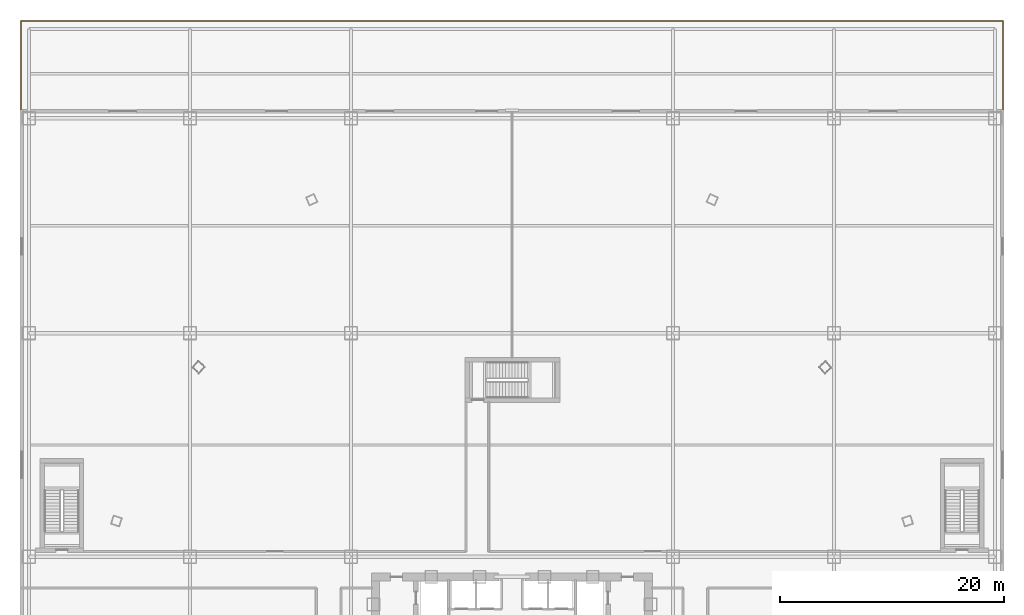
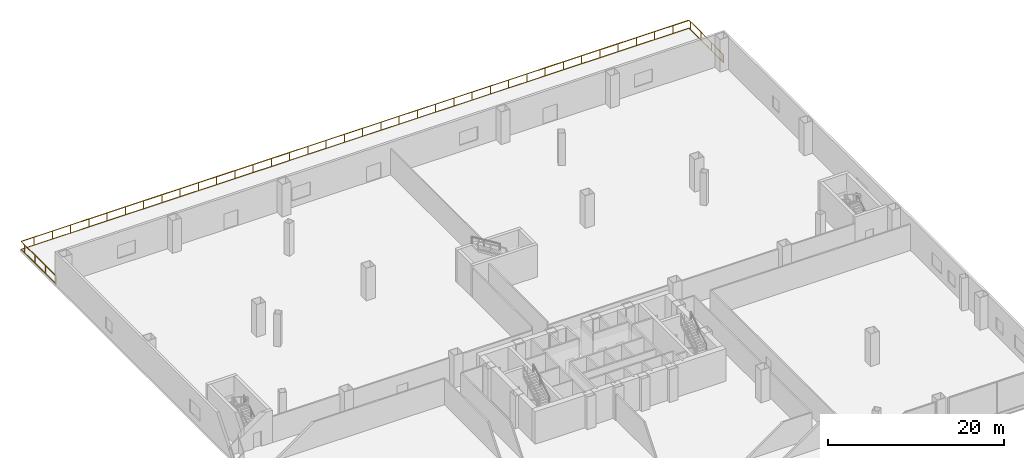
# One storey, part 27 of 27: 1 railing.
"""IFC4 building model written with IfcOpenShell, lengths in metres."""

import ifcopenshell
import ifcopenshell.guid

model = None  # the IFC model being written
_history = None  # IfcOwnerHistory: only IFC2X3 demands one
_inside = {}  # id of a spatial element -> (the spatial element, [elements in it])
_under = {}  # id of a project, library or spatial element -> (it, [spatial elements below it])
_declared = {}  # id of a project -> (the project, [libraries it declares])
_typed = {}  # id of a type object -> (the type object, [elements of that type])
_made_of = {}  # id of a material, layer set ... -> (it, [elements and type objects made of it])


def new_model(schema):
    """Start an empty IFC model of exactly this schema.

    Asked for "IFC4X3", IfcOpenShell would pick the latest addendum, in which some entities
    have other attributes; the version numbers below select the first issue.
    IFC2X3 requires an IfcOwnerHistory on every rooted entity: one is made here for all.
    """
    global model, _history
    if schema == "IFC4X3":
        model = ifcopenshell.file(schema_version=(4, 3, 0, 0))
    else:
        model = ifcopenshell.file(schema=schema)
    _inside.clear()
    _under.clear()
    _declared.clear()
    _typed.clear()
    _made_of.clear()
    _history = None
    if model.schema == "IFC2X3":
        org = make("IfcOrganization", Name="unknown")
        user = make(
            "IfcPersonAndOrganization",
            ThePerson=make("IfcPerson", FamilyName="unknown"),
            TheOrganization=org,
        )
        app = make(
            "IfcApplication",
            ApplicationDeveloper=org,
            Version="unknown",
            ApplicationFullName="unknown",
            ApplicationIdentifier="unknown",
        )
        _history = make(
            "IfcOwnerHistory",
            OwningUser=user,
            OwningApplication=app,
            ChangeAction="ADDED",
            CreationDate=0,
        )
    return model


def make(cls, **values):
    """One entity of the class cls with the attributes given. An attribute that is None is left unset."""
    return model.create_entity(
        cls, **{name: value for name, value in values.items() if value is not None}
    )


def rooted(cls, **values):
    """An entity with a GlobalId (a new one), such as an element, a storey or a relation."""
    return make(cls, GlobalId=ifcopenshell.guid.new(), OwnerHistory=_history, **values)


def si_unit(unit_type, name, prefix=None):
    """IfcSIUnit, for example si_unit("LENGTHUNIT", "METRE", prefix="MILLI")."""
    return make("IfcSIUnit", UnitType=unit_type, Prefix=prefix, Name=name)


def assignment(units):
    """IfcUnitAssignment: the units of a project."""
    return None if units is None else make("IfcUnitAssignment", Units=units)


def point(xyz):
    """IfcCartesianPoint."""
    return None if xyz is None else make("IfcCartesianPoint", Coordinates=xyz)


def direction(xyz):
    """IfcDirection."""
    return None if xyz is None else make("IfcDirection", DirectionRatios=xyz)


def frame(location, z_axis=None, x_axis=None):
    """IfcAxis2Placement3D, a coordinate frame: its origin and axes. An axis left out is left unset."""
    return make(
        "IfcAxis2Placement3D",
        Location=point(location),
        Axis=direction(z_axis),
        RefDirection=direction(x_axis),
    )


def frame_2d(location, x_axis=None):
    """IfcAxis2Placement2D, a coordinate frame in the plane: its origin and x axis."""
    return make(
        "IfcAxis2Placement2D", Location=point(location), RefDirection=direction(x_axis)
    )


def origin():
    """The frame at (0, 0, 0) with its axes left unset."""
    return frame((0.0, 0.0, 0.0))


def origin_2d():
    """The frame at (0, 0) in the plane with its x axis left unset."""
    return frame_2d((0.0, 0.0))


def place(relative_to, where):
    """IfcLocalPlacement: puts the frame where relative to a parent placement (None: the world)."""
    return make(
        "IfcLocalPlacement", PlacementRelTo=relative_to, RelativePlacement=where
    )


def context(
    kind, dimensions, precision=None, world=None, true_north=None, identifier=None
):
    """IfcGeometricRepresentationContext, for example the 3D "Model" context."""
    return make(
        "IfcGeometricRepresentationContext",
        ContextIdentifier=identifier,
        ContextType=kind,
        CoordinateSpaceDimension=dimensions,
        Precision=precision,
        WorldCoordinateSystem=world,
        TrueNorth=true_north,
    )


def subcontext(parent, identifier, kind, view, scale=None):
    """IfcGeometricRepresentationSubContext, for example "Body" below "Model"."""
    return make(
        "IfcGeometricRepresentationSubContext",
        ContextIdentifier=identifier,
        ContextType=kind,
        ParentContext=parent,
        TargetScale=scale,
        TargetView=view,
    )


def project(units=None, contexts=None):
    """IfcProject with its units and contexts."""
    return rooted(
        "IfcProject",
        Name="project",
        RepresentationContexts=contexts,
        UnitsInContext=assignment(units),
    )


def spatial(cls, under=None, at=None, **own):
    """A site, building, storey or space (cls), placed at a placement, below another one or the project."""
    s = rooted(cls, ObjectPlacement=at, **own)
    if under is not None:
        _under.setdefault(under.id(), (under, []))[1].append(s)
    return s


def profile(cls, at=None, kind="AREA", **sizes):
    """A parametric profile (cls). Its sizes go by their IFC names, for example OverallWidth=200.0."""
    return make(cls, ProfileType=kind, Position=at, **sizes)


def rectangle(**sizes):
    """IfcRectangleProfileDef."""
    return profile("IfcRectangleProfileDef", **sizes)


def extrude(swept, where, along, depth):
    """IfcExtrudedAreaSolid: the profile swept, set in the frame where, extruded along a direction by depth."""
    return make(
        "IfcExtrudedAreaSolid",
        SweptArea=swept,
        Position=where,
        ExtrudedDirection=direction(along),
        Depth=depth,
    )


def shape(context_of_items, identifier, shape_type, items):
    """IfcShapeRepresentation: the items that make up one representation, for example the "Body"."""
    return make(
        "IfcShapeRepresentation",
        ContextOfItems=context_of_items,
        RepresentationIdentifier=identifier,
        RepresentationType=shape_type,
        Items=items,
    )


def material(Name=None, Category=None):
    """IfcMaterial."""
    return make("IfcMaterial", Name=Name, Category=Category)


def made_of(thing, what):
    """Note that an element or type object is made of a material, layer set ...; save() writes the relation."""
    if what is not None:
        _made_of.setdefault(what.id(), (what, []))[1].append(thing)
    return thing


def type_object(cls, material=None, **own):
    """A type object (cls), such as IfcWallType, which elements share."""
    return made_of(rooted(cls, **own), material)


def element(
    cls,
    number,
    at=None,
    inside=None,
    cuts=None,
    type_object=None,
    material=None,
    context=None,
    identifier="Body",
    shape_type=None,
    held_by="IfcProductDefinitionShape",
    body=None,
    shapes=None,
    **own,
):
    """One element of the class cls, such as IfcWall. Its Tag is "e" and its number.

    at: its placement. inside: the storey or other place that contains it. cuts: it is an
    opening in that element (IfcRelVoidsElement). A single representation is given by context,
    identifier, shape_type and body (its items); several are given by shapes. held_by: the class
    of the entity that holds the representations. save() writes the other relations.
    """
    e = rooted(cls, Tag="e%d" % number, ObjectPlacement=at, **own)
    if body is not None:
        shapes = [shape(context, identifier, shape_type, body)]
    if shapes is not None:
        e.Representation = make(held_by, Representations=shapes)
    if inside is not None:
        _inside.setdefault(inside.id(), (inside, []))[1].append(e)
    if cuts is not None:
        rooted(
            "IfcRelVoidsElement", RelatingBuildingElement=cuts, RelatedOpeningElement=e
        )
    if type_object is not None:
        _typed.setdefault(type_object.id(), (type_object, []))[1].append(e)
    return made_of(e, material)


def aggregate(whole, parts):
    """IfcRelAggregates: a whole, such as a stair, and the parts it consists of."""
    return rooted("IfcRelAggregates", RelatingObject=whole, RelatedObjects=parts)


def save(model, path):
    """Write the relations noted so far, then the file.

    IfcRelAggregates (storeys below a building ...), IfcRelContainedInSpatialStructure (elements
    in a storey), IfcRelDefinesByType, IfcRelAssociatesMaterial and IfcRelDeclares: one each for
    every whole, place, type object, material and project.
    """
    for whole, parts in _under.values():
        aggregate(whole, parts)
    for where, things in _inside.values():
        rooted(
            "IfcRelContainedInSpatialStructure",
            RelatedElements=things,
            RelatingStructure=where,
        )
    for kind, things in _typed.values():
        rooted("IfcRelDefinesByType", RelatedObjects=things, RelatingType=kind)
    for what, things in _made_of.values():
        rooted("IfcRelAssociatesMaterial", RelatedObjects=things, RelatingMaterial=what)
    for by, libraries in _declared.values():
        rooted("IfcRelDeclares", RelatingContext=by, RelatedDefinitions=libraries)
    model.write(path)


model = new_model("IFC4")

# Units and contexts
model_context = context("Model", 3, precision=1e-05, world=origin(), true_north=direction((0.0, 1.0)))
body_context = subcontext(model_context, "Body", "Model", "MODEL_VIEW")
ifc_project = project(units=[si_unit("LENGTHUNIT", "METRE"), si_unit("AREAUNIT", "SQUARE_METRE"), si_unit("VOLUMEUNIT", "CUBIC_METRE"), si_unit("PLANEANGLEUNIT", "RADIAN"), si_unit("MASSUNIT", "GRAM", prefix="KILO"), si_unit("THERMODYNAMICTEMPERATUREUNIT", "KELVIN"), si_unit("POWERUNIT", "WATT")], contexts=[model_context])

# Site, building, storey
site_placement = place(None, origin())
site = spatial("IfcSite", under=ifc_project, at=site_placement, CompositionType="ELEMENT")
building_placement = place(site_placement, origin())
building = spatial("IfcBuilding", under=site, at=building_placement, Name="Yunzhuo Pagoda Commons", CompositionType="ELEMENT")
storey_placement = place(building_placement, frame((0.0, 0.0, 9.60009765625)))
storey = spatial("IfcBuildingStorey", under=building, at=storey_placement, Name="L03", CompositionType="ELEMENT", Elevation=9.60009765625)

# Railing
ifc_material = material(Name="Anodized aluminium 6063-T6", Category="aluminium")
railing_type = type_object("IfcRailingType", Name="RL-BAL1 Exterior Terrace & Balcony Balustrade 1150", PredefinedType="BALUSTRADE", material=ifc_material)
railing_placement = place(storey_placement, frame((4.10009765625, 82.0, 0.0)))
element("IfcRailing", 1, at=railing_placement, inside=storey, type_object=railing_type, Name="L03 waterfront river terrace balustrade", PredefinedType="BALUSTRADE", context=body_context, shape_type="SweptSolid", body=[
    extrude(rectangle(XDim=0.048095703125, YDim=0.048095703125, at=origin_2d()), frame((0.0, 0.0, 1.1259765625), z_axis=(0.0, 1.0, 0.0), x_axis=(-1.0, 0.0, 0.0)), (0.0, 0.0, 1.0), 7.89990234375),
    extrude(rectangle(XDim=0.048095703125, YDim=0.048095703125, at=origin_2d()), frame((0.0, 0.0, 0.02392578125), z_axis=(0.0, 1.0, 0.0), x_axis=(-1.0, 0.0, 0.0)), (0.0, 0.0, 1.0), 7.89990234375),
    extrude(rectangle(XDim=0.048095703125, YDim=0.048095703125, at=origin_2d()), frame((0.0, 7.89990234375, 1.1259765625), z_axis=(1.0, 0.0, 0.0), x_axis=(0.0, 1.0, 0.0)), (0.0, 0.0, 1.0), 87.7998046875),
    extrude(rectangle(XDim=0.048095703125, YDim=0.048095703125, at=origin_2d()), frame((0.0, 7.89990234375, 0.02392578125), z_axis=(1.0, 0.0, 0.0), x_axis=(0.0, 1.0, 0.0)), (0.0, 0.0, 1.0), 87.7998046875),
    extrude(rectangle(XDim=0.048095703125, YDim=0.048095703125, at=origin_2d()), frame((87.7998046875, 7.89990234375, 1.1259765625), z_axis=(0.0, -1.0, 0.0), x_axis=(1.0, 0.0, 0.0)), (0.0, 0.0, 1.0), 7.89990234375),
    extrude(rectangle(XDim=0.048095703125, YDim=0.048095703125, at=origin_2d()), frame((87.7998046875, 7.89990234375, 0.02392578125), z_axis=(0.0, -1.0, 0.0), x_axis=(1.0, 0.0, 0.0)), (0.0, 0.0, 1.0), 7.89990234375),
    extrude(rectangle(XDim=0.0419921875, YDim=0.0419921875, at=origin_2d()), origin(), (0.0, 0.0, 1.0), 1.101806640625),
    extrude(rectangle(XDim=0.0419921875, YDim=0.0419921875, at=origin_2d()), frame((0.0, 2.39990234375, 0.0)), (0.0, 0.0, 1.0), 1.101806640625),
    extrude(rectangle(XDim=0.0419921875, YDim=0.0419921875, at=origin_2d()), frame((0.0, 4.800048828125, 0.0)), (0.0, 0.0, 1.0), 1.101806640625),
    extrude(rectangle(XDim=0.0419921875, YDim=0.0419921875, at=origin_2d()), frame((0.0, 7.199951171875, 0.0)), (0.0, 0.0, 1.0), 1.101806640625),
    extrude(rectangle(XDim=0.0419921875, YDim=0.0419921875, at=origin_2d()), frame((1.7001953125, 7.89990234375, 0.0)), (0.0, 0.0, 1.0), 1.101806640625),
    extrude(rectangle(XDim=0.0419921875, YDim=0.0419921875, at=origin_2d()), frame((4.10009765625, 7.89990234375, 0.0)), (0.0, 0.0, 1.0), 1.101806640625),
    extrude(rectangle(XDim=0.0419921875, YDim=0.0419921875, at=origin_2d()), frame((6.5, 7.89990234375, 0.0)), (0.0, 0.0, 1.0), 1.101806640625),
    extrude(rectangle(XDim=0.0419921875, YDim=0.0419921875, at=origin_2d()), frame((8.900146484375, 7.89990234375, 0.0)), (0.0, 0.0, 1.0), 1.101806640625),
    extrude(rectangle(XDim=0.0419921875, YDim=0.0419921875, at=origin_2d()), frame((11.300048828125, 7.89990234375, 0.0)), (0.0, 0.0, 1.0), 1.101806640625),
    extrude(rectangle(XDim=0.0419921875, YDim=0.0419921875, at=origin_2d()), frame((13.7001953125, 7.89990234375, 0.0)), (0.0, 0.0, 1.0), 1.101806640625),
    extrude(rectangle(XDim=0.0419921875, YDim=0.0419921875, at=origin_2d()), frame((16.10009765625, 7.89990234375, 0.0)), (0.0, 0.0, 1.0), 1.101806640625),
    extrude(rectangle(XDim=0.0419921875, YDim=0.0419921875, at=origin_2d()), frame((18.5, 7.89990234375, 0.0)), (0.0, 0.0, 1.0), 1.101806640625),
    extrude(rectangle(XDim=0.0419921875, YDim=0.0419921875, at=origin_2d()), frame((20.900146484375, 7.89990234375, 0.0)), (0.0, 0.0, 1.0), 1.101806640625),
    extrude(rectangle(XDim=0.0419921875, YDim=0.0419921875, at=origin_2d()), frame((23.300048828125, 7.89990234375, 0.0)), (0.0, 0.0, 1.0), 1.101806640625),
    extrude(rectangle(XDim=0.0419921875, YDim=0.0419921875, at=origin_2d()), frame((25.7001953125, 7.89990234375, 0.0)), (0.0, 0.0, 1.0), 1.101806640625),
    extrude(rectangle(XDim=0.0419921875, YDim=0.0419921875, at=origin_2d()), frame((28.10009765625, 7.89990234375, 0.0)), (0.0, 0.0, 1.0), 1.101806640625),
    extrude(rectangle(XDim=0.0419921875, YDim=0.0419921875, at=origin_2d()), frame((30.5, 7.89990234375, 0.0)), (0.0, 0.0, 1.0), 1.101806640625),
    extrude(rectangle(XDim=0.0419921875, YDim=0.0419921875, at=origin_2d()), frame((32.900146484375, 7.89990234375, 0.0)), (0.0, 0.0, 1.0), 1.101806640625),
    extrude(rectangle(XDim=0.0419921875, YDim=0.0419921875, at=origin_2d()), frame((35.300048828125, 7.89990234375, 0.0)), (0.0, 0.0, 1.0), 1.101806640625),
    extrude(rectangle(XDim=0.0419921875, YDim=0.0419921875, at=origin_2d()), frame((37.7001953125, 7.89990234375, 0.0)), (0.0, 0.0, 1.0), 1.101806640625),
    extrude(rectangle(XDim=0.0419921875, YDim=0.0419921875, at=origin_2d()), frame((40.10009765625, 7.89990234375, 0.0)), (0.0, 0.0, 1.0), 1.101806640625),
    extrude(rectangle(XDim=0.0419921875, YDim=0.0419921875, at=origin_2d()), frame((42.5, 7.89990234375, 0.0)), (0.0, 0.0, 1.0), 1.101806640625),
    extrude(rectangle(XDim=0.0419921875, YDim=0.0419921875, at=origin_2d()), frame((44.900146484375, 7.89990234375, 0.0)), (0.0, 0.0, 1.0), 1.101806640625),
    extrude(rectangle(XDim=0.0419921875, YDim=0.0419921875, at=origin_2d()), frame((47.300048828125, 7.89990234375, 0.0)), (0.0, 0.0, 1.0), 1.101806640625),
    extrude(rectangle(XDim=0.0419921875, YDim=0.0419921875, at=origin_2d()), frame((49.7001953125, 7.89990234375, 0.0)), (0.0, 0.0, 1.0), 1.101806640625),
    extrude(rectangle(XDim=0.0419921875, YDim=0.0419921875, at=origin_2d()), frame((52.10009765625, 7.89990234375, 0.0)), (0.0, 0.0, 1.0), 1.101806640625),
    extrude(rectangle(XDim=0.0419921875, YDim=0.0419921875, at=origin_2d()), frame((54.5, 7.89990234375, 0.0)), (0.0, 0.0, 1.0), 1.101806640625),
    extrude(rectangle(XDim=0.0419921875, YDim=0.0419921875, at=origin_2d()), frame((56.900146484375, 7.89990234375, 0.0)), (0.0, 0.0, 1.0), 1.101806640625),
    extrude(rectangle(XDim=0.0419921875, YDim=0.0419921875, at=origin_2d()), frame((59.300048828125, 7.89990234375, 0.0)), (0.0, 0.0, 1.0), 1.101806640625),
    extrude(rectangle(XDim=0.0419921875, YDim=0.0419921875, at=origin_2d()), frame((61.7001953125, 7.89990234375, 0.0)), (0.0, 0.0, 1.0), 1.101806640625),
    extrude(rectangle(XDim=0.0419921875, YDim=0.0419921875, at=origin_2d()), frame((64.10009765625, 7.89990234375, 0.0)), (0.0, 0.0, 1.0), 1.101806640625),
    extrude(rectangle(XDim=0.0419921875, YDim=0.0419921875, at=origin_2d()), frame((66.5, 7.89990234375, 0.0)), (0.0, 0.0, 1.0), 1.101806640625),
    extrude(rectangle(XDim=0.0419921875, YDim=0.0419921875, at=origin_2d()), frame((68.900146484375, 7.89990234375, 0.0)), (0.0, 0.0, 1.0), 1.101806640625),
    extrude(rectangle(XDim=0.0419921875, YDim=0.0419921875, at=origin_2d()), frame((71.300048828125, 7.89990234375, 0.0)), (0.0, 0.0, 1.0), 1.101806640625),
    extrude(rectangle(XDim=0.0419921875, YDim=0.0419921875, at=origin_2d()), frame((73.7001953125, 7.89990234375, 0.0)), (0.0, 0.0, 1.0), 1.101806640625),
    extrude(rectangle(XDim=0.0419921875, YDim=0.0419921875, at=origin_2d()), frame((76.10009765625, 7.89990234375, 0.0)), (0.0, 0.0, 1.0), 1.101806640625),
    extrude(rectangle(XDim=0.0419921875, YDim=0.0419921875, at=origin_2d()), frame((78.5, 7.89990234375, 0.0)), (0.0, 0.0, 1.0), 1.101806640625),
    extrude(rectangle(XDim=0.0419921875, YDim=0.0419921875, at=origin_2d()), frame((80.900146484375, 7.89990234375, 0.0)), (0.0, 0.0, 1.0), 1.101806640625),
    extrude(rectangle(XDim=0.0419921875, YDim=0.0419921875, at=origin_2d()), frame((83.300048828125, 7.89990234375, 0.0)), (0.0, 0.0, 1.0), 1.101806640625),
    extrude(rectangle(XDim=0.0419921875, YDim=0.0419921875, at=origin_2d()), frame((85.7001953125, 7.89990234375, 0.0)), (0.0, 0.0, 1.0), 1.101806640625),
    extrude(rectangle(XDim=0.0419921875, YDim=0.0419921875, at=origin_2d()), frame((87.7998046875, 7.599609375, 0.0)), (0.0, 0.0, 1.0), 1.101806640625),
    extrude(rectangle(XDim=0.0419921875, YDim=0.0419921875, at=origin_2d()), frame((87.7998046875, 5.19970703125, 0.0)), (0.0, 0.0, 1.0), 1.101806640625),
    extrude(rectangle(XDim=0.0419921875, YDim=0.0419921875, at=origin_2d()), frame((87.7998046875, 2.799560546875, 0.0)), (0.0, 0.0, 1.0), 1.101806640625),
    extrude(rectangle(XDim=0.0419921875, YDim=0.0419921875, at=origin_2d()), frame((87.7998046875, 0.399658203125, 0.0)), (0.0, 0.0, 1.0), 1.101806640625),
    extrude(rectangle(XDim=0.0419921875, YDim=0.0419921875, at=origin_2d()), frame((87.7998046875, 0.0, 0.0)), (0.0, 0.0, 1.0), 1.101806640625),
])

save(model, "model.ifc")
